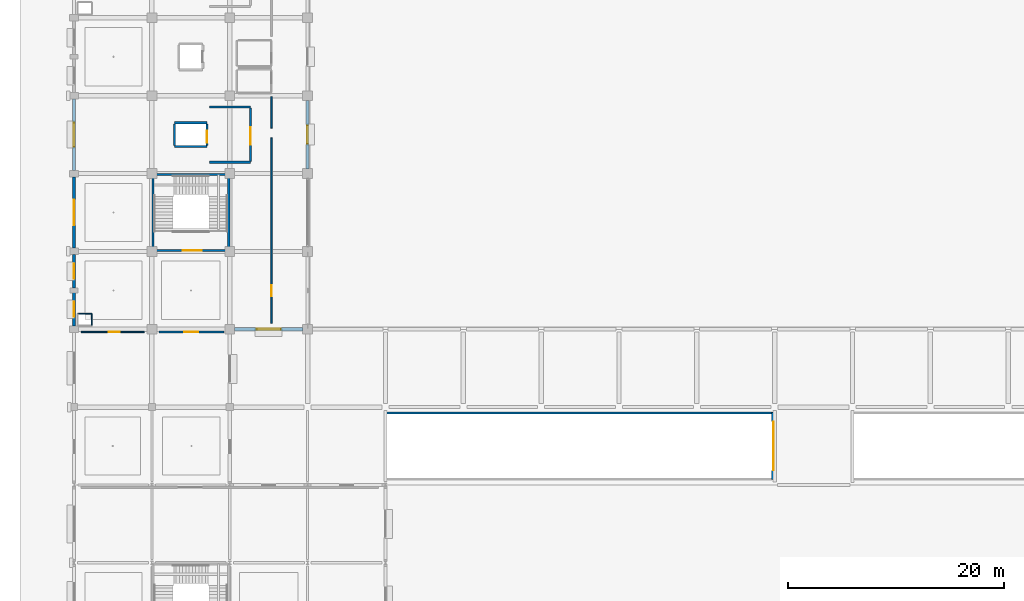
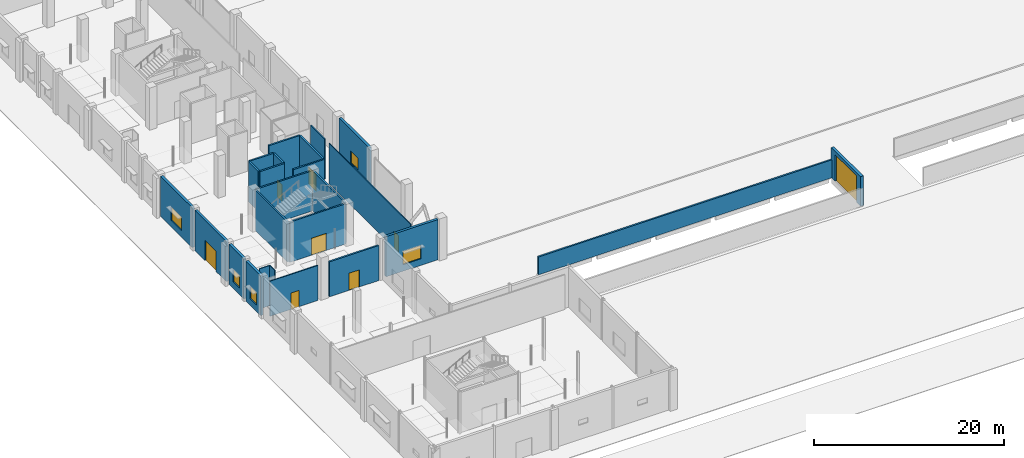
# One storey, part 58 of 90: 25 walls, 8 doors, 5 windows, 13 openings.
"""IFC4 building model written with IfcOpenShell, lengths in metres."""

from ifc_helpers import new_model, si_unit, direction, frame, frame_2d, origin, place, context, subcontext, project, spatial, rectangle, extrude, material, layer, layer_set, type_object, element, fill, save


model = new_model("IFC4")

# Units and contexts
model_context = context("Model", 3, precision=1e-05, world=origin(), true_north=direction((0.0, 1.0)))
body_context = subcontext(model_context, "Body", "Model", "MODEL_VIEW")
ifc_project = project(units=[si_unit("LENGTHUNIT", "METRE"), si_unit("AREAUNIT", "SQUARE_METRE"), si_unit("VOLUMEUNIT", "CUBIC_METRE"), si_unit("PLANEANGLEUNIT", "RADIAN"), si_unit("MASSUNIT", "GRAM", prefix="KILO")], contexts=[model_context])

# Site, building, storey
site_placement = place(None, origin())
site = spatial("IfcSite", under=ifc_project, at=site_placement, CompositionType="ELEMENT")
building_placement = place(site_placement, origin())
building = spatial("IfcBuilding", under=site, at=building_placement, Name="Kangsadwip Square Police Headquarters", CompositionType="ELEMENT")
storey_placement = place(building_placement, origin())
storey = spatial("IfcBuildingStorey", under=building, at=storey_placement, Name="L00", CompositionType="ELEMENT", Elevation=0.0)

# Wall, opening, door
ifc_material_1 = material(Name="Fire-rated double gypsum board acoustic stud partition", Category="masonry")
ifc_layer_1 = layer(ifc_material_1, 0.1201171875)
ifc_layer_set_1 = layer_set([ifc_layer_1], Name="Fire-rated double gypsum board acoustic stud partition")
wall_type_1 = type_object("IfcWallType", Name="AcousticPartition120", PredefinedType="PARTITIONING", material=ifc_layer_set_1)
wall_1_placement = place(storey_placement, frame((18.25, 36.550048828125, 0.0), z_axis=(0.0, 0.0, 1.0), x_axis=(0.0, 1.0, 0.0)))
wall_1 = element("IfcWall", 1, at=wall_1_placement, inside=storey, type_object=wall_type_1, Name="Interior Wall WI-L00-0692", PredefinedType="PARTITIONING", context=body_context, shape_type="SweptSolid", body=[
    extrude(rectangle(XDim=17.14990234375, YDim=0.1201171875, at=frame_2d((8.574951171875, 0.0))), origin(), (0.0, 0.0, 1.0), 5.159912109375),
])
opening_1_placement = place(wall_1_placement, frame((2.52490234375, 0.0, 0.0)))
opening_1 = element("IfcOpeningElement", 2, at=opening_1_placement, cuts=wall_1, Name="Opening ID-09A", PredefinedType="OPENING", context=body_context, shape_type="SweptSolid", body=[
    extrude(rectangle(XDim=0.97998046875, YDim=2.10009765625, at=frame_2d((0.489990234375, 1.050048828125))), frame((0.0, 0.070068359375, 0.0), z_axis=(0.0, -1.0, 0.0), x_axis=(1.0, 0.0, 0.0)), (0.0, 0.0, 1.0), 0.14013671875),
])
ifc_material_2 = material(Name="Solid-core seasoned teak hardwood architectural door", Category="wood")
door_type_1 = type_object("IfcDoorType", Name="OfficeDoor980x2100", OperationType="NOTDEFINED", PredefinedType="DOOR", material=ifc_material_2)
door_1_placement = place(opening_1_placement, origin())
door_1 = element("IfcDoor", 3, at=door_1_placement, inside=storey, type_object=door_type_1, Name="Interior Door ID-L00-0142", OperationType="SINGLE_SWING_LEFT", OverallHeight=2.10009765625, OverallWidth=0.97998046875, PredefinedType="DOOR", context=body_context, shape_type="SweptSolid", body=[
    extrude(rectangle(XDim=0.97998046875, YDim=2.10009765625, at=frame_2d((0.489990234375, 1.050048828125))), frame((0.0, 0.02490234375, 0.0), z_axis=(0.0, -1.0, 0.0), x_axis=(1.0, 0.0, 0.0)), (0.0, 0.0, 1.0), 0.050048828125),
])
fill(opening_1, door_1)

wall_2_placement = place(storey_placement, frame((0.64990234375, 35.75, 0.0), z_axis=(0.0, 0.0, 1.0), x_axis=(1.0, 0.0, 0.0)))
wall_2 = element("IfcWall", 4, at=wall_2_placement, inside=storey, type_object=wall_type_1, Name="Interior Wall WI-L00-0700", PredefinedType="PARTITIONING", context=body_context, shape_type="SweptSolid", body=[
    extrude(rectangle(XDim=5.85009765625, YDim=0.1201171875, at=frame_2d((2.925048828125, 0.0))), origin(), (0.0, 0.0, 1.0), 4.5),
])
opening_2_placement = place(wall_2_placement, frame((2.552978515625, 0.0, 0.0)))
opening_2 = element("IfcOpeningElement", 5, at=opening_2_placement, cuts=wall_2, Name="Opening ID-10B", PredefinedType="OPENING", context=body_context, shape_type="SweptSolid", body=[
    extrude(rectangle(XDim=1.0, YDim=2.10009765625, at=frame_2d((0.5, 1.050048828125))), frame((0.0, 0.070068359375, 0.0), z_axis=(0.0, -1.0, 0.0), x_axis=(1.0, 0.0, 0.0)), (0.0, 0.0, 1.0), 0.14013671875),
])
ifc_material_3 = material(Name="Solid-core seasoned teak hardwood architectural door", Category="wood")
door_type_2 = type_object("IfcDoorType", Name="OfficeDoor1000x2100", OperationType="NOTDEFINED", PredefinedType="DOOR", material=ifc_material_3)
door_2_placement = place(opening_2_placement, origin())
door_2 = element("IfcDoor", 6, at=door_2_placement, inside=storey, type_object=door_type_2, Name="Interior Door ID-L00-0148", OperationType="SINGLE_SWING_RIGHT", OverallHeight=2.10009765625, OverallWidth=1.0, PredefinedType="DOOR", context=body_context, shape_type="SweptSolid", body=[
    extrude(rectangle(XDim=1.0, YDim=2.10009765625, at=frame_2d((0.5, 1.050048828125))), frame((0.0, 0.02490234375, 0.0), z_axis=(0.0, -1.0, 0.0), x_axis=(1.0, 0.0, 0.0)), (0.0, 0.0, 1.0), 0.050048828125),
])
fill(opening_2, door_2)

# Walls
ifc_material_4 = material(Name="Autoclaved aerated concrete blockwork masonry", Category="masonry")
ifc_layer_2 = layer(ifc_material_4, 0.14990234375)
ifc_layer_set_2 = layer_set([ifc_layer_2], Name="Autoclaved aerated concrete blockwork masonry")
wall_type_2 = type_object("IfcWallType", Name="BlockPartition150", PredefinedType="PARTITIONING", material=ifc_layer_set_2)
wall_3_placement = place(storey_placement, frame((18.25, 54.60009765625, 0.0), z_axis=(0.0, 0.0, 1.0), x_axis=(0.0, 1.0, 0.0)))
element("IfcWall", 7, at=wall_3_placement, inside=storey, type_object=wall_type_2, Name="Interior Wall WI-L00-0694", PredefinedType="PARTITIONING", context=body_context, shape_type="SweptSolid", body=[
    extrude(rectangle(XDim=2.919921875, YDim=0.14990234375, at=frame_2d((1.4599609375, 0.0))), origin(), (0.0, 0.0, 1.0), 5.159912109375),
])
ifc_material_5 = material(Name="Concrete M40 (40 MPa)", Category="concrete")
ifc_layer_3 = layer(ifc_material_5, 0.199951171875)
ifc_layer_set_3 = layer_set([ifc_layer_3], Name="Concrete M40 (40 MPa)")
wall_type_3 = type_object("IfcWallType", Name="CoreShearWall200", PredefinedType="SHEAR", material=ifc_layer_set_3)
wall_4_placement = place(storey_placement, frame((28.89990234375, 28.25, 0.0), z_axis=(0.0, 0.0, 1.0), x_axis=(1.0, 0.0, 0.0)))
element("IfcWall", 8, at=wall_4_placement, inside=storey, type_object=wall_type_3, Name="Interior Wall WI-L00-0004", PredefinedType="SHEAR", context=body_context, shape_type="SweptSolid", body=[
    extrude(rectangle(XDim=35.900146484375, YDim=0.199951171875, at=frame_2d((17.9501953125, 0.0))), origin(), (0.0, 0.0, 1.0), 2.300048828125),
])

# Wall, opening, door
wall_5_placement = place(storey_placement, frame((7.39990234375, 43.300048828125, 0.0), z_axis=(0.0, 0.0, 1.0), x_axis=(1.0, 0.0, 0.0)))
wall_5 = element("IfcWall", 9, at=wall_5_placement, inside=storey, type_object=wall_type_3, Name="Interior Wall WI-L00-0013", PredefinedType="SHEAR", context=body_context, shape_type="SweptSolid", body=[
    extrude(rectangle(XDim=6.800048828125, YDim=0.199951171875, at=frame_2d((3.39990234375, 0.0))), origin(), (0.0, 0.0, 1.0), 5.159912109375),
])
opening_3_placement = place(wall_5_placement, frame((2.632080078125, 0.0, 0.0)))
opening_3 = element("IfcOpeningElement", 10, at=opening_3_placement, cuts=wall_5, Name="Opening FD-18", PredefinedType="OPENING", context=body_context, shape_type="SweptSolid", body=[
    extrude(rectangle(XDim=1.800048828125, YDim=2.199951171875, at=frame_2d((0.89990234375, 1.10009765625))), frame((0.0, 0.10986328125, 0.0), z_axis=(0.0, -1.0, 0.0), x_axis=(1.0, 0.0, 0.0)), (0.0, 0.0, 1.0), 0.219970703125),
])
ifc_material_6 = material(Name="Insulated galvanized steel fire-rated door assembly", Category="steel")
door_type_3 = type_object("IfcDoorType", Name="StairFireDoor1800x2200", OperationType="DOUBLE_DOOR_SINGLE_SWING", PredefinedType="DOOR", material=ifc_material_6)
door_3_placement = place(opening_3_placement, origin())
door_3 = element("IfcDoor", 11, at=door_3_placement, inside=storey, type_object=door_type_3, Name="Interior Door ID-L00-0002", OperationType="DOUBLE_DOOR_SINGLE_SWING", OverallHeight=2.199951171875, OverallWidth=1.800048828125, PredefinedType="DOOR", context=body_context, shape_type="SweptSolid", body=[
    extrude(rectangle(XDim=1.800048828125, YDim=2.199951171875, at=frame_2d((0.89990234375, 1.10009765625))), frame((0.0, 0.02490234375, 0.0), z_axis=(0.0, -1.0, 0.0), x_axis=(1.0, 0.0, 0.0)), (0.0, 0.0, 1.0), 0.050048828125),
])
fill(opening_3, door_3)

# Walls
for number, where, z_axis, x_axis, name in (
    (12, (7.39990234375, 50.300048828125, 0.0), (0.0, 0.0, 1.0), (1.0, 0.0, 0.0), "Interior Wall WI-L00-0014"),
    (13, (7.300048828125, 43.39990234375, 0.0), (0.0, 0.0, 1.0), (0.0, 1.0, 0.0), "Interior Wall WI-L00-0015"),
    (14, (14.300048828125, 43.39990234375, 0.0), (0.0, 0.0, 1.0), (0.0, 1.0, 0.0), "Interior Wall WI-L00-0016"),
):
    element("IfcWall", number, at=place(storey_placement, frame(where, z_axis=z_axis, x_axis=x_axis)), inside=storey, type_object=wall_type_3, Name=name, PredefinedType="SHEAR", context=body_context, shape_type="SweptSolid", body=[
        extrude(rectangle(XDim=6.800048828125, YDim=0.199951171875, at=frame_2d((3.39990234375, 0.0))), origin(), (0.0, 0.0, 1.0), 5.159912109375),
    ])
for number, where, z_axis, x_axis, name in (
    (15, (9.300048828125, 52.89990234375, 0.0), (0.0, 0.0, 1.0), (1.0, 0.0, 0.0), "Interior Wall WI-L00-0235"),
    (16, (9.300048828125, 55.10009765625, 0.0), (0.0, 0.0, 1.0), (1.0, 0.0, 0.0), "Interior Wall WI-L00-0236"),
):
    element("IfcWall", number, at=place(storey_placement, frame(where, z_axis=z_axis, x_axis=x_axis)), inside=storey, type_object=wall_type_3, Name=name, PredefinedType="SHEAR", context=body_context, shape_type="SweptSolid", body=[
        extrude(rectangle(XDim=3.0, YDim=0.199951171875, at=frame_2d((1.5, 0.0))), origin(), (0.0, 0.0, 1.0), 5.159912109375),
    ])
wall_6_placement = place(storey_placement, frame((9.300048828125, 53.0, 0.0), z_axis=(0.0, 0.0, 1.0), x_axis=(0.0, 1.0, 0.0)))
element("IfcWall", 17, at=wall_6_placement, inside=storey, type_object=wall_type_3, Name="Interior Wall WI-L00-0237", PredefinedType="SHEAR", context=body_context, shape_type="SweptSolid", body=[
    extrude(rectangle(XDim=2.0, YDim=0.199951171875, at=frame_2d((1.0, 0.0))), origin(), (0.0, 0.0, 1.0), 5.159912109375),
])

# Wall, opening, door
wall_7_placement = place(storey_placement, frame((12.300048828125, 53.0, 0.0), z_axis=(0.0, 0.0, 1.0), x_axis=(0.0, 1.0, 0.0)))
wall_7 = element("IfcWall", 18, at=wall_7_placement, inside=storey, type_object=wall_type_3, Name="Interior Wall WI-L00-0238", PredefinedType="SHEAR", context=body_context, shape_type="SweptSolid", body=[
    extrude(rectangle(XDim=2.0, YDim=0.199951171875, at=frame_2d((1.0, 0.0))), origin(), (0.0, 0.0, 1.0), 5.159912109375),
])
opening_4_placement = place(wall_7_placement, frame((0.25, 0.0, 0.0)))
opening_4 = element("IfcOpeningElement", 19, at=opening_4_placement, cuts=wall_7, Name="Opening LD-002", PredefinedType="OPENING", context=body_context, shape_type="SweptSolid", body=[
    extrude(rectangle(XDim=1.10009765625, YDim=2.14990234375, at=frame_2d((0.550048828125, 1.074951171875))), frame((0.0, 0.10986328125, 0.0), z_axis=(0.0, -1.0, 0.0), x_axis=(1.0, 0.0, 0.0)), (0.0, 0.0, 1.0), 0.219970703125),
])
ifc_material_7 = material(Name="Brushed stainless steel automatic sliding lift landing door", Category="steel")
door_type_4 = type_object("IfcDoorType", Name="LiftLandingDoor1100x2150", OperationType="DOUBLE_DOOR_SLIDING", PredefinedType="DOOR", material=ifc_material_7)
door_4_placement = place(opening_4_placement, origin())
door_4 = element("IfcDoor", 20, at=door_4_placement, inside=storey, type_object=door_type_4, Name="Interior Door LD-002", OperationType="DOUBLE_DOOR_SLIDING", OverallHeight=2.14990234375, OverallWidth=1.10009765625, PredefinedType="DOOR", context=body_context, shape_type="SweptSolid", body=[
    extrude(rectangle(XDim=1.10009765625, YDim=2.14990234375, at=frame_2d((0.550048828125, 1.074951171875))), frame((0.0, 0.02490234375, 0.0), z_axis=(0.0, -1.0, 0.0), x_axis=(1.0, 0.0, 0.0)), (0.0, 0.0, 1.0), 0.050048828125),
])
fill(opening_4, door_4)

ifc_material_8 = material(Name="Concrete M40 (40 MPa)", Category="concrete")
ifc_layer_4 = layer(ifc_material_8, 0.35009765625)
ifc_layer_set_4 = layer_set([ifc_layer_4], Name="Concrete M40 (40 MPa)")
wall_type_4 = type_object("IfcWallType", Name="CustodyPerimeterWall350", PredefinedType="SOLIDWALL", material=ifc_layer_set_4)
wall_8_placement = place(storey_placement, frame((64.679931640625, 22.10009765625, 0.0), z_axis=(0.0, 0.0, 1.0), x_axis=(0.0, 1.0, 0.0)))
wall_8 = element("IfcWall", 21, at=wall_8_placement, inside=storey, type_object=wall_type_4, Name="Exterior Wall WE-L00-604", PredefinedType="SOLIDWALL", context=body_context, shape_type="SweptSolid", body=[
    extrude(rectangle(XDim=6.199951171875, YDim=0.35009765625, at=frame_2d((3.10009765625, 0.0))), origin(), (0.0, 0.0, 1.0), 3.800048828125),
])
opening_5_placement = place(wall_8_placement, frame((0.85009765625, 0.0, 0.0)))
opening_5 = element("IfcOpeningElement", 22, at=opening_5_placement, cuts=wall_8, Name="Opening VG-01", PredefinedType="OPENING", context=body_context, shape_type="SweptSolid", body=[
    extrude(rectangle(XDim=4.5, YDim=3.39990234375, at=frame_2d((2.25, 1.699951171875))), frame((0.0, 0.18505859375, 0.0), z_axis=(0.0, -1.0, 0.0), x_axis=(1.0, 0.0, 0.0)), (0.0, 0.0, 1.0), 0.3701171875),
])
ifc_material_9 = material(Name="Galvanized hollow-metal architectural steel door assembly", Category="steel")
door_type_5 = type_object("IfcDoorType", Name="FleetRampRollerGate4500x3400", OperationType="ROLLINGUP", PredefinedType="GATE", material=ifc_material_9)
door_5_placement = place(opening_5_placement, origin())
door_5 = element("IfcDoor", 23, at=door_5_placement, inside=storey, type_object=door_type_5, Name="Exterior Door VG-01", OperationType="SINGLE_SWING_LEFT", OverallHeight=3.39990234375, OverallWidth=4.5, PredefinedType="GATE", context=body_context, shape_type="SweptSolid", body=[
    extrude(rectangle(XDim=4.5, YDim=3.39990234375, at=frame_2d((2.25, 1.699951171875))), frame((0.0, 0.02490234375, 0.0), z_axis=(0.0, -1.0, 0.0), x_axis=(1.0, 0.0, 0.0)), (0.0, 0.0, 1.0), 0.050048828125),
])
fill(opening_5, door_5)

ifc_material_10 = material(Name="Concrete M40 (40 MPa)", Category="concrete")
ifc_layer_5 = layer(ifc_material_10, 0.199951171875)
ifc_layer_set_5 = layer_set([ifc_layer_5], Name="Concrete M40 (40 MPa)")
wall_type_5 = type_object("IfcWallType", Name="CustodySecurityWall200", PredefinedType="SOLIDWALL", material=ifc_layer_set_5)
wall_9_placement = place(storey_placement, frame((16.320068359375, 51.530029296875, 0.0), z_axis=(0.0, 0.0, 1.0), x_axis=(0.0, 1.0, 0.0)))
wall_9 = element("IfcWall", 24, at=wall_9_placement, inside=storey, type_object=wall_type_5, Name="Interior Wall WI-L00-0660", PredefinedType="SOLIDWALL", context=body_context, shape_type="SweptSolid", body=[
    extrude(rectangle(XDim=4.93994140625, YDim=0.199951171875, at=frame_2d((2.469970703125, 0.0))), origin(), (0.0, 0.0, 1.0), 5.159912109375),
])
opening_6_placement = place(wall_9_placement, frame((1.541015625, 0.0, 0.0)))
opening_6 = element("IfcOpeningElement", 25, at=opening_6_placement, cuts=wall_9, Name="Opening FD-16", PredefinedType="OPENING", context=body_context, shape_type="SweptSolid", body=[
    extrude(rectangle(XDim=1.60009765625, YDim=2.199951171875, at=frame_2d((0.800048828125, 1.10009765625))), frame((0.0, 0.10986328125, 0.0), z_axis=(0.0, -1.0, 0.0), x_axis=(1.0, 0.0, 0.0)), (0.0, 0.0, 1.0), 0.219970703125),
])
ifc_material_11 = material(Name="Insulated galvanized steel fire-rated door assembly", Category="steel")
door_type_6 = type_object("IfcDoorType", Name="FfLobbyFireDoor1600x2200", OperationType="DOUBLE_DOOR_SINGLE_SWING", PredefinedType="DOOR", material=ifc_material_11)
door_6_placement = place(opening_6_placement, origin())
door_6 = element("IfcDoor", 26, at=door_6_placement, inside=storey, type_object=door_type_6, Name="Interior Door ID-L00-0126", OperationType="DOUBLE_DOOR_SINGLE_SWING", OverallHeight=2.199951171875, OverallWidth=1.60009765625, PredefinedType="DOOR", context=body_context, shape_type="SweptSolid", body=[
    extrude(rectangle(XDim=1.60009765625, YDim=2.199951171875, at=frame_2d((0.800048828125, 1.10009765625))), frame((0.0, 0.02490234375, 0.0), z_axis=(0.0, -1.0, 0.0), x_axis=(1.0, 0.0, 0.0)), (0.0, 0.0, 1.0), 0.050048828125),
])
fill(opening_6, door_6)

# Walls
for number, where, z_axis, x_axis, name in (
    (27, (12.5400390625, 51.449951171875, 0.0), (0.0, 0.0, 1.0), (1.0, 0.0, 0.0), "Interior Wall WI-L00-0661"),
    (28, (12.5400390625, 56.550048828125, 0.0), (0.0, 0.0, 1.0), (1.0, 0.0, 0.0), "Interior Wall WI-L00-0662"),
):
    element("IfcWall", number, at=place(storey_placement, frame(where, z_axis=z_axis, x_axis=x_axis)), inside=storey, type_object=wall_type_5, Name=name, PredefinedType="SOLIDWALL", context=body_context, shape_type="SweptSolid", body=[
        extrude(rectangle(XDim=3.780029296875, YDim=0.199951171875, at=frame_2d((1.89013671875, 0.0))), origin(), (0.0, 0.0, 1.0), 5.159912109375),
    ])

# Wall, opening, door
wall_10_placement = place(storey_placement, frame((7.85009765625, 35.75, 0.0), z_axis=(0.0, 0.0, 1.0), x_axis=(1.0, 0.0, 0.0)))
wall_10 = element("IfcWall", 29, at=wall_10_placement, inside=storey, type_object=wall_type_5, Name="Interior Wall WI-L00-0701", PredefinedType="SOLIDWALL", context=body_context, shape_type="SweptSolid", body=[
    extrude(rectangle(XDim=6.0, YDim=0.199951171875, at=frame_2d((3.0, 0.0))), origin(), (0.0, 0.0, 1.0), 4.5),
])
opening_7_placement = place(wall_10_placement, frame((2.35009765625, 0.0, 0.0)))
opening_7 = element("IfcOpeningElement", 30, at=opening_7_placement, cuts=wall_10, Name="Opening FD-13", PredefinedType="OPENING", context=body_context, shape_type="SweptSolid", body=[
    extrude(rectangle(XDim=1.300048828125, YDim=2.199951171875, at=frame_2d((0.64990234375, 1.10009765625))), frame((0.0, 0.10986328125, 0.0), z_axis=(0.0, -1.0, 0.0), x_axis=(1.0, 0.0, 0.0)), (0.0, 0.0, 1.0), 0.219970703125),
])
ifc_material_12 = material(Name="Insulated galvanized steel fire-rated door assembly", Category="steel")
door_type_7 = type_object("IfcDoorType", Name="VaultHeavyDoor1300x2200", OperationType="NOTDEFINED", PredefinedType="DOOR", material=ifc_material_12)
door_7_placement = place(opening_7_placement, origin())
door_7 = element("IfcDoor", 31, at=door_7_placement, inside=storey, type_object=door_type_7, Name="Interior Door ID-L00-0149", OperationType="SINGLE_SWING_LEFT", OverallHeight=2.199951171875, OverallWidth=1.300048828125, PredefinedType="DOOR", context=body_context, shape_type="SweptSolid", body=[
    extrude(rectangle(XDim=1.300048828125, YDim=2.199951171875, at=frame_2d((0.64990234375, 1.10009765625))), frame((0.0, 0.02490234375, 0.0), z_axis=(0.0, -1.0, 0.0), x_axis=(1.0, 0.0, 0.0)), (0.0, 0.0, 1.0), 0.050048828125),
])
fill(opening_7, door_7)

# Wall, opening, window
ifc_material_13 = material(Name="Glazed architectural terracotta masonry rainscreen", Category="masonry")
ifc_layer_6 = layer(ifc_material_13, 0.300048828125)
ifc_layer_set_6 = layer_set([ifc_layer_6], Name="Glazed architectural terracotta masonry rainscreen")
wall_type_6 = type_object("IfcWallType", Name="PlinthArcadeWall300", PredefinedType="SOLIDWALL", material=ifc_layer_set_6)
wall_11_placement = place(storey_placement, frame((14.844970703125, 36.0, 0.0), z_axis=(0.0, 0.0, 1.0), x_axis=(1.0, 0.0, 0.0)))
wall_11 = element("IfcWall", 32, at=wall_11_placement, inside=storey, type_object=wall_type_6, Name="Exterior Wall WE-L00-143", PredefinedType="SOLIDWALL", context=body_context, shape_type="SweptSolid", body=[
    extrude(rectangle(XDim=6.31005859375, YDim=0.300048828125, at=frame_2d((3.155029296875, 0.0))), origin(), (0.0, 0.0, 1.0), 5.159912109375),
])
opening_8_placement = place(wall_11_placement, frame((2.054931640625, 0.0, 0.85009765625)))
opening_8 = element("IfcOpeningElement", 33, at=opening_8_placement, cuts=wall_11, Name="Opening WN-08", PredefinedType="OPENING", context=body_context, shape_type="SweptSolid", body=[
    extrude(rectangle(XDim=2.199951171875, YDim=1.699951171875, at=frame_2d((1.10009765625, 0.85009765625))), frame((0.0, 0.159912109375, 0.0), z_axis=(0.0, -1.0, 0.0), x_axis=(1.0, 0.0, 0.0)), (0.0, 0.0, 1.0), 0.320068359375),
])
ifc_material_14 = material(Name="Double-glazed solar-control low-E safety glass", Category="glass")
window_type_1 = type_object("IfcWindowType", Name="ChicagoDoubleMullWin2200x1700", PartitioningType="DOUBLE_PANEL_VERTICAL", PredefinedType="WINDOW", material=ifc_material_14)
window_1_placement = place(opening_8_placement, origin())
window_1 = element("IfcWindow", 34, at=window_1_placement, inside=storey, type_object=window_type_1, Name="Window WN-L00-0011", OverallHeight=1.699951171875, OverallWidth=2.199951171875, PartitioningType="SINGLE_PANEL", PredefinedType="WINDOW", context=body_context, shape_type="SweptSolid", body=[
    extrude(rectangle(XDim=2.199951171875, YDim=1.699951171875, at=frame_2d((1.10009765625, 0.85009765625))), frame((0.0, 0.030029296875, 0.0), z_axis=(0.0, -1.0, 0.0), x_axis=(1.0, 0.0, 0.0)), (0.0, 0.0, 1.0), 0.06005859375),
])
fill(opening_8, window_1)

wall_12_placement = place(storey_placement, frame((0.0, 36.294921875, 0.0), z_axis=(0.0, 0.0, 1.0), x_axis=(0.0, 1.0, 0.0)))
wall_12 = element("IfcWall", 35, at=wall_12_placement, inside=storey, type_object=wall_type_6, Name="Exterior Wall WE-L00-168", PredefinedType="SOLIDWALL", context=body_context, shape_type="SweptSolid", body=[
    extrude(rectangle(XDim=3.0849609375, YDim=0.300048828125, at=frame_2d((1.54248046875, 0.0))), origin(), (0.0, 0.0, 1.0), 5.159912109375),
])
opening_9_placement = place(wall_12_placement, frame((0.842529296875, 0.0, 0.85009765625)))
opening_9 = element("IfcOpeningElement", 36, at=opening_9_placement, cuts=wall_12, Name="Opening WN-13", PredefinedType="OPENING", context=body_context, shape_type="SweptSolid", body=[
    extrude(rectangle(XDim=1.39990234375, YDim=1.60009765625, at=frame_2d((0.699951171875, 0.800048828125))), frame((0.0, 0.159912109375, 0.0), z_axis=(0.0, -1.0, 0.0), x_axis=(1.0, 0.0, 0.0)), (0.0, 0.0, 1.0), 0.320068359375),
])
ifc_material_15 = material(Name="Double-glazed solar-control low-E safety glass", Category="glass")
window_type_2 = type_object("IfcWindowType", Name="OfficeCasementWin1400x1600", PartitioningType="SINGLE_PANEL", PredefinedType="WINDOW", material=ifc_material_15)
window_2_placement = place(opening_9_placement, origin())
window_2 = element("IfcWindow", 37, at=window_2_placement, inside=storey, type_object=window_type_2, Name="Window WN-L00-0027", OverallHeight=1.60009765625, OverallWidth=1.39990234375, PartitioningType="SINGLE_PANEL", PredefinedType="WINDOW", context=body_context, shape_type="SweptSolid", body=[
    extrude(rectangle(XDim=1.39990234375, YDim=1.60009765625, at=frame_2d((0.699951171875, 0.800048828125))), frame((0.0, 0.030029296875, 0.0), z_axis=(0.0, -1.0, 0.0), x_axis=(1.0, 0.0, 0.0)), (0.0, 0.0, 1.0), 0.06005859375),
])
fill(opening_9, window_2)

wall_13_placement = place(storey_placement, frame((0.0, 39.820068359375, 0.0), z_axis=(0.0, 0.0, 1.0), x_axis=(0.0, 1.0, 0.0)))
wall_13 = element("IfcWall", 38, at=wall_13_placement, inside=storey, type_object=wall_type_6, Name="Exterior Wall WE-L00-169", PredefinedType="SOLIDWALL", context=body_context, shape_type="SweptSolid", body=[
    extrude(rectangle(XDim=3.0849609375, YDim=0.300048828125, at=frame_2d((1.54248046875, 0.0))), origin(), (0.0, 0.0, 1.0), 5.159912109375),
])
opening_10_placement = place(wall_13_placement, frame((0.842529296875, 0.0, 0.85009765625)))
opening_10 = element("IfcOpeningElement", 39, at=opening_10_placement, cuts=wall_13, Name="Opening WN-13", PredefinedType="OPENING", context=body_context, shape_type="SweptSolid", body=[
    extrude(rectangle(XDim=1.39990234375, YDim=1.60009765625, at=frame_2d((0.699951171875, 0.800048828125))), frame((0.0, 0.159912109375, 0.0), z_axis=(0.0, -1.0, 0.0), x_axis=(1.0, 0.0, 0.0)), (0.0, 0.0, 1.0), 0.320068359375),
])
window_3_placement = place(opening_10_placement, origin())
window_3 = element("IfcWindow", 40, at=window_3_placement, inside=storey, type_object=window_type_2, Name="Window WN-L00-0028", OverallHeight=1.60009765625, OverallWidth=1.39990234375, PartitioningType="SINGLE_PANEL", PredefinedType="WINDOW", context=body_context, shape_type="SweptSolid", body=[
    extrude(rectangle(XDim=1.39990234375, YDim=1.60009765625, at=frame_2d((0.699951171875, 0.800048828125))), frame((0.0, 0.030029296875, 0.0), z_axis=(0.0, -1.0, 0.0), x_axis=(1.0, 0.0, 0.0)), (0.0, 0.0, 1.0), 0.06005859375),
])
fill(opening_10, window_3)

# Wall, opening, door
wall_14_placement = place(storey_placement, frame((0.0, 43.4951171875, 0.0), z_axis=(0.0, 0.0, 1.0), x_axis=(0.0, 1.0, 0.0)))
wall_14 = element("IfcWall", 41, at=wall_14_placement, inside=storey, type_object=wall_type_6, Name="Exterior Wall WE-L00-170", PredefinedType="SOLIDWALL", context=body_context, shape_type="SweptSolid", body=[
    extrude(rectangle(XDim=6.60986328125, YDim=0.300048828125, at=frame_2d((3.304931640625, 0.0))), origin(), (0.0, 0.0, 1.0), 5.159912109375),
])
opening_11_placement = place(wall_14_placement, frame((2.10498046875, 0.0, 0.0)))
opening_11 = element("IfcOpeningElement", 42, at=opening_11_placement, cuts=wall_14, Name="Opening ED-01", PredefinedType="OPENING", context=body_context, shape_type="SweptSolid", body=[
    extrude(rectangle(XDim=2.39990234375, YDim=2.60009765625, at=frame_2d((1.199951171875, 1.300048828125))), frame((0.0, 0.159912109375, 0.0), z_axis=(0.0, -1.0, 0.0), x_axis=(1.0, 0.0, 0.0)), (0.0, 0.0, 1.0), 0.320068359375),
])
ifc_material_16 = material(Name="Galvanized hollow-metal architectural steel door assembly", Category="steel")
door_type_8 = type_object("IfcDoorType", Name="CivicEntranceDoubleDoor2400x2600", OperationType="DOUBLE_DOOR_SINGLE_SWING", PredefinedType="DOOR", material=ifc_material_16)
door_8_placement = place(opening_11_placement, origin())
door_8 = element("IfcDoor", 43, at=door_8_placement, inside=storey, type_object=door_type_8, Name="Exterior Door ED-01", OperationType="DOUBLE_DOOR_SINGLE_SWING", OverallHeight=2.60009765625, OverallWidth=2.39990234375, PredefinedType="DOOR", context=body_context, shape_type="SweptSolid", body=[
    extrude(rectangle(XDim=2.39990234375, YDim=2.60009765625, at=frame_2d((1.199951171875, 1.300048828125))), frame((0.0, 0.02490234375, 0.0), z_axis=(0.0, -1.0, 0.0), x_axis=(1.0, 0.0, 0.0)), (0.0, 0.0, 1.0), 0.050048828125),
])
fill(opening_11, door_8)

# Wall, opening, window
wall_15_placement = place(storey_placement, frame((0.0, 50.695068359375, 0.0), z_axis=(0.0, 0.0, 1.0), x_axis=(0.0, 1.0, 0.0)))
wall_15 = element("IfcWall", 44, at=wall_15_placement, inside=storey, type_object=wall_type_6, Name="Exterior Wall WE-L00-171", PredefinedType="SOLIDWALL", context=body_context, shape_type="SweptSolid", body=[
    extrude(rectangle(XDim=6.60986328125, YDim=0.300048828125, at=frame_2d((3.304931640625, 0.0))), origin(), (0.0, 0.0, 1.0), 5.159912109375),
])
opening_12_placement = place(wall_15_placement, frame((2.205078125, 0.0, 0.85009765625)))
opening_12 = element("IfcOpeningElement", 45, at=opening_12_placement, cuts=wall_15, Name="Opening WN-08", PredefinedType="OPENING", context=body_context, shape_type="SweptSolid", body=[
    extrude(rectangle(XDim=2.199951171875, YDim=1.699951171875, at=frame_2d((1.10009765625, 0.85009765625))), frame((0.0, 0.159912109375, 0.0), z_axis=(0.0, -1.0, 0.0), x_axis=(1.0, 0.0, 0.0)), (0.0, 0.0, 1.0), 0.320068359375),
])
window_4_placement = place(opening_12_placement, origin())
window_4 = element("IfcWindow", 46, at=window_4_placement, inside=storey, type_object=window_type_1, Name="Window WN-L00-0029", OverallHeight=1.699951171875, OverallWidth=2.199951171875, PartitioningType="SINGLE_PANEL", PredefinedType="WINDOW", context=body_context, shape_type="SweptSolid", body=[
    extrude(rectangle(XDim=2.199951171875, YDim=1.699951171875, at=frame_2d((1.10009765625, 0.85009765625))), frame((0.0, 0.030029296875, 0.0), z_axis=(0.0, -1.0, 0.0), x_axis=(1.0, 0.0, 0.0)), (0.0, 0.0, 1.0), 0.06005859375),
])
fill(opening_12, window_4)

wall_16_placement = place(storey_placement, frame((21.60009765625, 50.844970703125, 0.0), z_axis=(0.0, 0.0, 1.0), x_axis=(0.0, 1.0, 0.0)))
wall_16 = element("IfcWall", 47, at=wall_16_placement, inside=storey, type_object=wall_type_6, Name="Exterior Wall WE-L00-184", PredefinedType="SOLIDWALL", context=body_context, shape_type="SweptSolid", body=[
    extrude(rectangle(XDim=6.31005859375, YDim=0.300048828125, at=frame_2d((3.155029296875, 0.0))), origin(), (0.0, 0.0, 1.0), 5.159912109375),
])
opening_13_placement = place(wall_16_placement, frame((2.330078125, 0.0, 0.85009765625)))
opening_13 = element("IfcOpeningElement", 48, at=opening_13_placement, cuts=wall_16, Name="Opening WN-11", PredefinedType="OPENING", context=body_context, shape_type="SweptSolid", body=[
    extrude(rectangle(XDim=1.64990234375, YDim=1.550048828125, at=frame_2d((0.824951171875, 0.77490234375))), frame((0.0, 0.159912109375, 0.0), z_axis=(0.0, -1.0, 0.0), x_axis=(1.0, 0.0, 0.0)), (0.0, 0.0, 1.0), 0.320068359375),
])
ifc_material_17 = material(Name="Double-glazed solar-control low-E safety glass", Category="glass")
window_type_3 = type_object("IfcWindowType", Name="LabCleanViewWin1650x1550", PartitioningType="SINGLE_PANEL", PredefinedType="WINDOW", material=ifc_material_17)
window_5_placement = place(opening_13_placement, origin())
window_5 = element("IfcWindow", 49, at=window_5_placement, inside=storey, type_object=window_type_3, Name="Window WN-L00-0040", OverallHeight=1.550048828125, OverallWidth=1.64990234375, PartitioningType="SINGLE_PANEL", PredefinedType="WINDOW", context=body_context, shape_type="SweptSolid", body=[
    extrude(rectangle(XDim=1.64990234375, YDim=1.550048828125, at=frame_2d((0.824951171875, 0.77490234375))), frame((0.0, 0.030029296875, 0.0), z_axis=(0.0, -1.0, 0.0), x_axis=(1.0, 0.0, 0.0)), (0.0, 0.0, 1.0), 0.06005859375),
])
fill(opening_13, window_5)

# Walls
ifc_material_18 = material(Name="Autoclaved aerated concrete blockwork masonry", Category="masonry")
ifc_layer_7 = layer(ifc_material_18, 0.10009765625)
ifc_layer_set_7 = layer_set([ifc_layer_7], Name="Autoclaved aerated concrete blockwork masonry")
wall_type_7 = type_object("IfcWallType", Name="WetWallPartition100", PredefinedType="PARTITIONING", material=ifc_layer_set_7)
wall_17_placement = place(storey_placement, frame((0.35009765625, 37.449951171875, 0.0), z_axis=(0.0, 0.0, 1.0), x_axis=(1.0, 0.0, 0.0)))
element("IfcWall", 50, at=wall_17_placement, inside=storey, type_object=wall_type_7, Name="Interior Wall WI-L00-0516", PredefinedType="PARTITIONING", context=body_context, shape_type="SweptSolid", body=[
    extrude(rectangle(XDim=1.2998046875, YDim=0.10009765625, at=frame_2d((0.64990234375, 0.0))), origin(), (0.0, 0.0, 1.0), 5.159912109375),
])
wall_18_placement = place(storey_placement, frame((1.64990234375, 36.35009765625, 0.0), z_axis=(0.0, 0.0, 1.0), x_axis=(0.0, 1.0, 0.0)))
element("IfcWall", 51, at=wall_18_placement, inside=storey, type_object=wall_type_7, Name="Interior Wall WI-L00-0518", PredefinedType="PARTITIONING", context=body_context, shape_type="SweptSolid", body=[
    extrude(rectangle(XDim=1.099853515625, YDim=0.10009765625, at=frame_2d((0.5498046875, 0.0))), origin(), (0.0, 0.0, 1.0), 5.159912109375),
])

save(model, "model.ifc")
